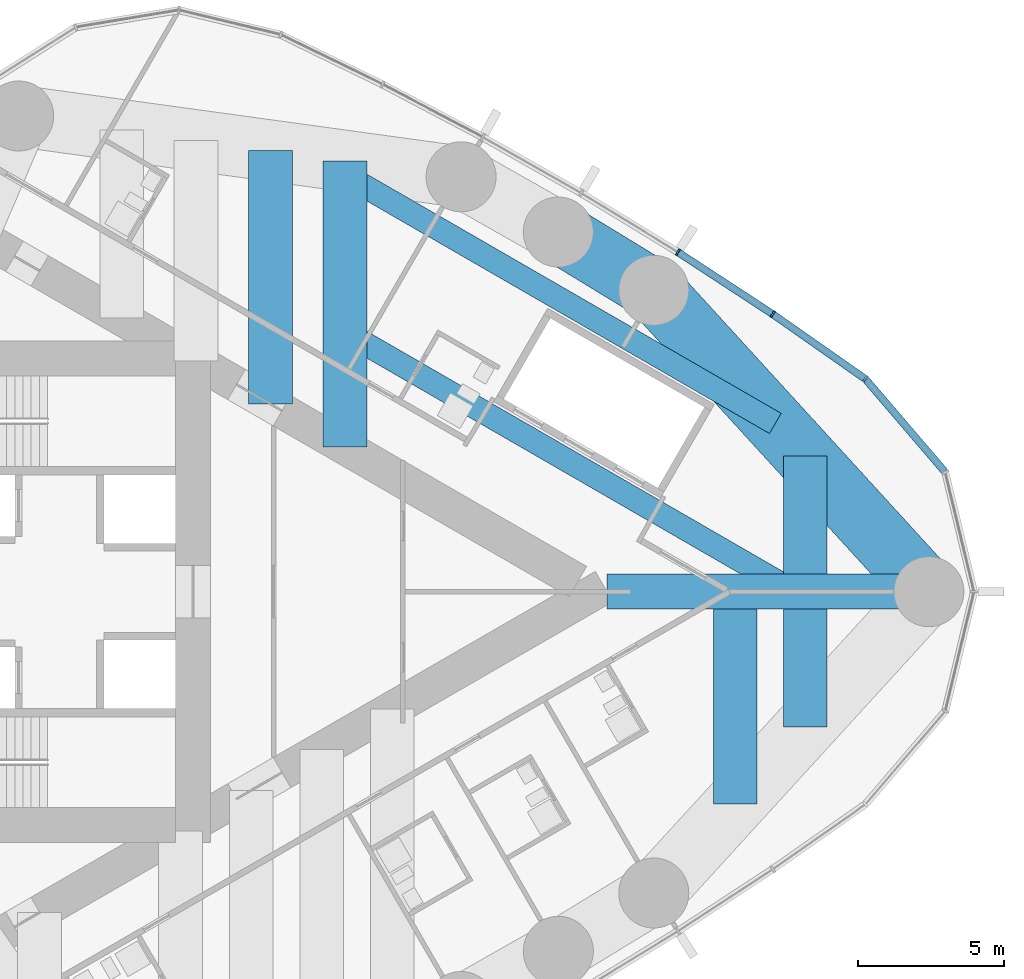
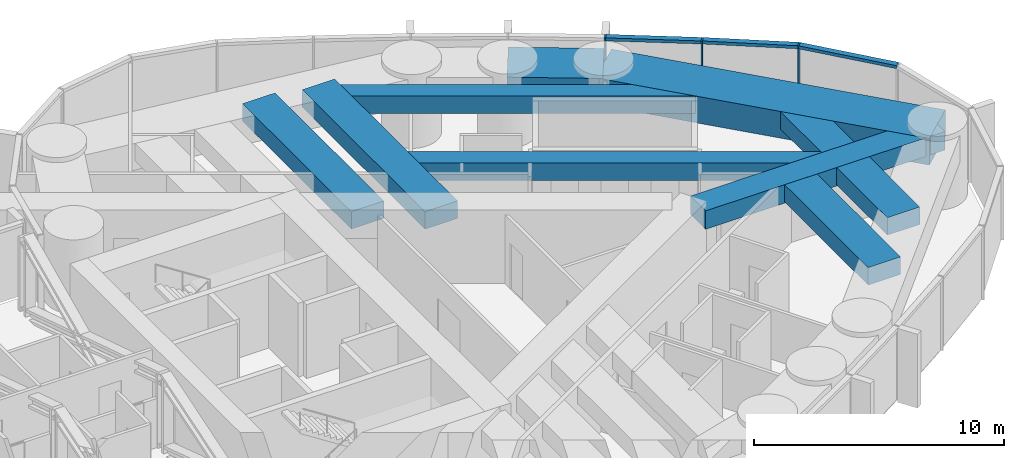
# One storey, part 9 of 23: 10 beams, 6 members, 1 element without a shape of its own.
"""IFC4 building model written with IfcOpenShell, lengths in metres."""

from ifc_helpers import new_model, si_unit, direction, frame, origin, origin_2d, place, context, subcontext, project, spatial, rectangle, hollow_rectangle, extrude, material, material_profile, profile_set, type_object, element, aggregate, save


model = new_model("IFC4")

# Units and contexts
model_context = context("Model", 3, precision=1e-05, world=origin(), true_north=direction((0.0, 1.0)))
body_context = subcontext(model_context, "Body", "Model", "MODEL_VIEW")
ifc_project = project(units=[si_unit("LENGTHUNIT", "METRE"), si_unit("AREAUNIT", "SQUARE_METRE"), si_unit("VOLUMEUNIT", "CUBIC_METRE"), si_unit("PLANEANGLEUNIT", "RADIAN"), si_unit("MASSUNIT", "GRAM", prefix="KILO")], contexts=[model_context])

# Site, building, storey
site_placement = place(None, origin())
site = spatial("IfcSite", under=ifc_project, at=site_placement, CompositionType="ELEMENT")
building_placement = place(site_placement, origin())
building = spatial("IfcBuilding", under=site, at=building_placement, Name="Lancet Gate Hotel", CompositionType="ELEMENT")
storey_placement = place(building_placement, frame((0.0, 0.0, 218.89990234375)))
storey = spatial("IfcBuildingStorey", under=building, at=storey_placement, Name="L58", CompositionType="ELEMENT", Elevation=218.89990234375)

# Curtain wall, members
ifc_material_1 = material(Name="Aluminium curtain wall", Category="aluminium")
curtain_wall_type = type_object("IfcCurtainWallType", Name="Tower unitised curtain wall", PredefinedType="USERDEFINED", material=ifc_material_1)
curtain_wall_placement = place(storey_placement, origin())
curtain_wall = element("IfcCurtainWall", 1, at=curtain_wall_placement, inside=storey, type_object=curtain_wall_type, Name="T2 L58 curtain wall 1", ObjectType="UNITISED CURTAIN WALL", PredefinedType="USERDEFINED")
ifc_material_2 = material(Name="Aluminium mullion", Category="aluminium")
ifc_material_profile_1 = material_profile(ifc_material_2, rectangle(XDim=0.06494140625, YDim=0.25, at=origin_2d()), Name="MULLION 65x250")
ifc_profile_set_1 = profile_set([ifc_material_profile_1], Name="Aluminium mullion")
member_type_1 = type_object("IfcMemberType", Name="Aluminium mullion 65x250", PredefinedType="MULLION", material=ifc_profile_set_1)
member_1_placement = place(storey_placement, frame((60.367431640625, 7.291259765625, 0.0), z_axis=(0.0, 0.0, 1.0), x_axis=(-0.737323173512, 0.675540182226, 0.0)))
member_1 = element("IfcMember", 2, at=member_1_placement, type_object=member_type_1, Name="T2 L58 curtain wall 1 mullion 16", PredefinedType="MULLION", context=body_context, shape_type="SweptSolid", body=[
    extrude(rectangle(XDim=0.06494140625, YDim=0.25, at=origin_2d()), origin(), (0.0, 0.0, 1.0), 3.60009765625),
])
member_2_placement = place(storey_placement, frame((57.185791015625, 9.518310546875, 0.0), z_axis=(0.0, 0.0, 1.0), x_axis=(-0.828154697184, 0.560499596371, 0.0)))
member_2 = element("IfcMember", 3, at=member_2_placement, type_object=member_type_1, Name="T2 L58 curtain wall 1 mullion 17", PredefinedType="MULLION", context=body_context, shape_type="SweptSolid", body=[
    extrude(rectangle(XDim=0.06494140625, YDim=0.25, at=origin_2d()), origin(), (0.0, 0.0, 1.0), 3.60009765625),
])
member_3_placement = place(storey_placement, frame((53.935791015625, 11.644287109375, 0.0), z_axis=(0.0, 0.0, 1.0), x_axis=(-0.845339753513, 0.534229071777, 0.0)))
member_3 = element("IfcMember", 4, at=member_3_placement, type_object=member_type_1, Name="T2 L58 curtain wall 1 mullion 18", PredefinedType="MULLION", context=body_context, shape_type="SweptSolid", body=[
    extrude(rectangle(XDim=0.06494140625, YDim=0.25, at=origin_2d()), origin(), (0.0, 0.0, 1.0), 3.60009765625),
])
ifc_material_3 = material(Name="Aluminium transom", Category="aluminium")
ifc_material_profile_2 = material_profile(ifc_material_3, rectangle(XDim=0.25, YDim=0.14990234375, at=origin_2d()), Name="TRANSOM 250x150")
ifc_profile_set_2 = profile_set([ifc_material_profile_2], Name="Aluminium transom")
member_type_2 = type_object("IfcMemberType", Name="Aluminium transom 250x150", PredefinedType="USERDEFINED", material=ifc_profile_set_2)
member_4_placement = place(storey_placement, frame((63.08544921875, 4.118408203125, 3.525146484375), z_axis=(-0.650592500186, 0.759427019997, 0.0), x_axis=(-0.759427019997, -0.650592500186, 0.0)))
member_4 = element("IfcMember", 5, at=member_4_placement, type_object=member_type_2, Name="T2 L58 curtain wall 1 transom 15", ObjectType="TRANSOM", PredefinedType="USERDEFINED", context=body_context, shape_type="SweptSolid", body=[
    extrude(rectangle(XDim=0.25, YDim=0.14990234375, at=origin_2d()), origin(), (0.0, 0.0, 1.0), 4.1455078125),
])
member_5_placement = place(storey_placement, frame((60.3408203125, 7.31005859375, 3.525146484375), z_axis=(-0.819255948852, 0.573428016642, 0.0), x_axis=(-0.573428016642, -0.819255948852, 0.0)))
member_5 = element("IfcMember", 6, at=member_5_placement, type_object=member_type_2, Name="T2 L58 curtain wall 1 transom 16", ObjectType="TRANSOM", PredefinedType="USERDEFINED", context=body_context, shape_type="SweptSolid", body=[
    extrude(rectangle(XDim=0.25, YDim=0.14990234375, at=origin_2d()), origin(), (0.0, 0.0, 1.0), 3.818603515625),
])
member_6_placement = place(storey_placement, frame((57.158447265625, 9.5361328125, 3.525146484375), z_axis=(-0.836858089593, 0.547419891749, 0.0), x_axis=(-0.547419891749, -0.836858089593, 0.0)))
member_6 = element("IfcMember", 7, at=member_6_placement, type_object=member_type_2, Name="T2 L58 curtain wall 1 transom 17", ObjectType="TRANSOM", PredefinedType="USERDEFINED", context=body_context, shape_type="SweptSolid", body=[
    extrude(rectangle(XDim=0.25, YDim=0.14990234375, at=origin_2d()), origin(), (0.0, 0.0, 1.0), 3.818603515625),
])
aggregate(curtain_wall, [member_1, member_2, member_3, member_4, member_5, member_6])

# Beams
ifc_material_4 = material(Name="Concrete C50/60", Category="concrete")
ifc_material_profile_3 = material_profile(ifc_material_4, rectangle(XDim=2.10009765625, YDim=1.300048828125, at=origin_2d()), Name="RC 2100x1300")
ifc_profile_set_3 = profile_set([ifc_material_profile_3], Name="Concrete C50/60")
beam_type_1 = type_object("IfcBeamType", Name="Edge beam RC 2100x1300", PredefinedType="SPANDREL", material=ifc_profile_set_3)
beam_1_placement = place(storey_placement, frame((62.54150390625, 0.0, 2.7001953125), z_axis=(-0.674209372947, 0.738540263919, 0.0), x_axis=(-0.738540263919, -0.674209372947, 0.0)))
element("IfcBeam", 8, at=beam_1_placement, inside=storey, type_object=beam_type_1, Name="T2 edge beam EB1 L58", PredefinedType="SPANDREL", context=body_context, shape_type="SweptSolid", body=[
    extrude(rectangle(XDim=2.10009765625, YDim=1.300048828125, at=origin_2d()), origin(), (0.0, 0.0, 1.0), 13.992431640625),
])
beam_2_placement = place(storey_placement, frame((53.107666015625, 10.333984375, 2.7001953125), z_axis=(-0.853604257265, 0.520922040212, 0.0), x_axis=(-0.520922040212, -0.853604257265, 0.0)))
element("IfcBeam", 9, at=beam_2_placement, inside=storey, type_object=beam_type_1, Name="T2 edge beam EB1 L58", PredefinedType="SPANDREL", context=body_context, shape_type="SweptSolid", body=[
    extrude(rectangle(XDim=2.10009765625, YDim=1.300048828125, at=origin_2d()), origin(), (0.0, 0.0, 1.0), 3.835205078125),
])
ifc_material_5 = material(Name="Concrete C50/60", Category="concrete")
ifc_material_profile_4 = material_profile(ifc_material_5, rectangle(XDim=1.5, YDim=0.85009765625, at=origin_2d()), Name="RC 1500x850")
ifc_profile_set_4 = profile_set([ifc_material_profile_4], Name="Concrete C50/60")
beam_type_2 = type_object("IfcBeamType", Name="Floor beam RC 1500x850", PredefinedType="BEAM", material=ifc_profile_set_4)
beam_3_placement = place(storey_placement, frame((39.9658203125, 6.429443359375, 2.925048828125), z_axis=(0.0, 1.0, 0.0), x_axis=(-1.0, 0.0, 0.0)))
element("IfcBeam", 10, at=beam_3_placement, inside=storey, type_object=beam_type_2, Name="T2 floor beam F06N L58", PredefinedType="BEAM", context=body_context, shape_type="SweptSolid", body=[
    extrude(rectangle(XDim=1.5, YDim=0.85009765625, at=origin_2d()), origin(), (0.0, 0.0, 1.0), 8.694091796875),
])
beam_4_placement = place(storey_placement, frame((42.51904296875, 4.95556640625, 2.925048828125), z_axis=(0.0, 1.0, 0.0), x_axis=(-1.0, 0.0, 0.0)))
element("IfcBeam", 11, at=beam_4_placement, inside=storey, type_object=beam_type_2, Name="T2 floor beam F08N L58", PredefinedType="BEAM", context=body_context, shape_type="SweptSolid", body=[
    extrude(rectangle(XDim=1.5, YDim=0.85009765625, at=origin_2d()), origin(), (0.0, 0.0, 1.0), 9.817138671875),
])
beam_5_placement = place(storey_placement, frame((55.90234375, -7.272705078125, 2.925048828125), z_axis=(0.0, 1.0, 0.0), x_axis=(-1.0, 0.0, 0.0)))
element("IfcBeam", 12, at=beam_5_placement, inside=storey, type_object=beam_type_2, Name="T2 floor beam F10S L58", PredefinedType="BEAM", context=body_context, shape_type="SweptSolid", body=[
    extrude(rectangle(XDim=1.5, YDim=0.85009765625, at=origin_2d()), origin(), (0.0, 0.0, 1.0), 6.672607421875),
])
for number, where, z_axis, x_axis, name in (
    (13, (58.30224609375, -4.643798828125, 2.925048828125), (0.0, 1.0, 0.0), (-1.0, 0.0, 0.0), "T2 floor beam F12S L58"),
    (14, (58.30224609375, 0.60009765625, 2.925048828125), (0.0, 1.0, 0.0), (-1.0, 0.0, 0.0), "T2 floor beam F13N L58"),
):
    element("IfcBeam", number, at=place(storey_placement, frame(where, z_axis=z_axis, x_axis=x_axis)), inside=storey, type_object=beam_type_2, Name=name, PredefinedType="BEAM", context=body_context, shape_type="SweptSolid", body=[
        extrude(rectangle(XDim=1.5, YDim=0.85009765625, at=origin_2d()), origin(), (0.0, 0.0, 1.0), 4.043701171875),
    ])
ifc_material_6 = material(Name="Concrete C50/60", Category="concrete")
ifc_material_profile_5 = material_profile(ifc_material_6, rectangle(XDim=1.199951171875, YDim=0.89990234375, at=origin_2d()), Name="RC 1200x900")
ifc_profile_set_5 = profile_set([ifc_material_profile_5], Name="Concrete C50/60")
beam_type_3 = type_object("IfcBeamType", Name="Radial floor beam RC 1200x900", PredefinedType="BEAM", material=ifc_profile_set_5)
beam_6_placement = place(storey_placement, frame((62.54150390625, 0.0, 2.900146484375), z_axis=(-1.0, 0.0, 0.0), x_axis=(0.0, -1.0, 0.0)))
element("IfcBeam", 15, at=beam_6_placement, inside=storey, type_object=beam_type_3, Name="T2 radial beam CA L58", PredefinedType="BEAM", context=body_context, shape_type="SweptSolid", body=[
    extrude(rectangle(XDim=1.199951171875, YDim=0.89990234375, at=origin_2d()), origin(), (0.0, 0.0, 1.0), 11.039306640625),
])
ifc_material_7 = material(Name="Steel S460QL", Category="steel")
ifc_material_profile_6 = material_profile(ifc_material_7, hollow_rectangle(XDim=0.800048828125, YDim=0.85009765625, WallThickness=0.080078125, at=origin_2d()), Name="BOX 850x800x80")
ifc_profile_set_6 = profile_set([ifc_material_profile_6], Name="Steel S460QL")
beam_type_4 = type_object("IfcBeamType", Name="Trimmer beam BOX 850x800x80", PredefinedType="BEAM", material=ifc_profile_set_6)
beam_7_placement = place(storey_placement, frame((42.51904296875, 14.289794921875, 2.925048828125), z_axis=(0.865991109766, -0.500059394279, 0.0), x_axis=(0.500059394279, 0.865991109766, 0.0)))
element("IfcBeam", 16, at=beam_7_placement, inside=storey, type_object=beam_type_4, Name="T2 trimmer beam TR01N L58", PredefinedType="BEAM", context=body_context, shape_type="SweptSolid", body=[
    extrude(hollow_rectangle(XDim=0.800048828125, YDim=0.85009765625, WallThickness=0.080078125, at=origin_2d()), origin(), (0.0, 0.0, 1.0), 17.0390625),
])
beam_8_placement = place(storey_placement, frame((42.51904296875, 8.90185546875, 2.925048828125), z_axis=(0.865994419471, -0.500053662566, 0.0), x_axis=(0.500053662566, 0.865994419471, 0.0)))
element("IfcBeam", 17, at=beam_8_placement, inside=storey, type_object=beam_type_4, Name="T2 trimmer beam TR02N L58", PredefinedType="BEAM", context=body_context, shape_type="SweptSolid", body=[
    extrude(hollow_rectangle(XDim=0.800048828125, YDim=0.85009765625, WallThickness=0.080078125, at=origin_2d()), origin(), (0.0, 0.0, 1.0), 17.8017578125),
])

save(model, "model.ifc")
